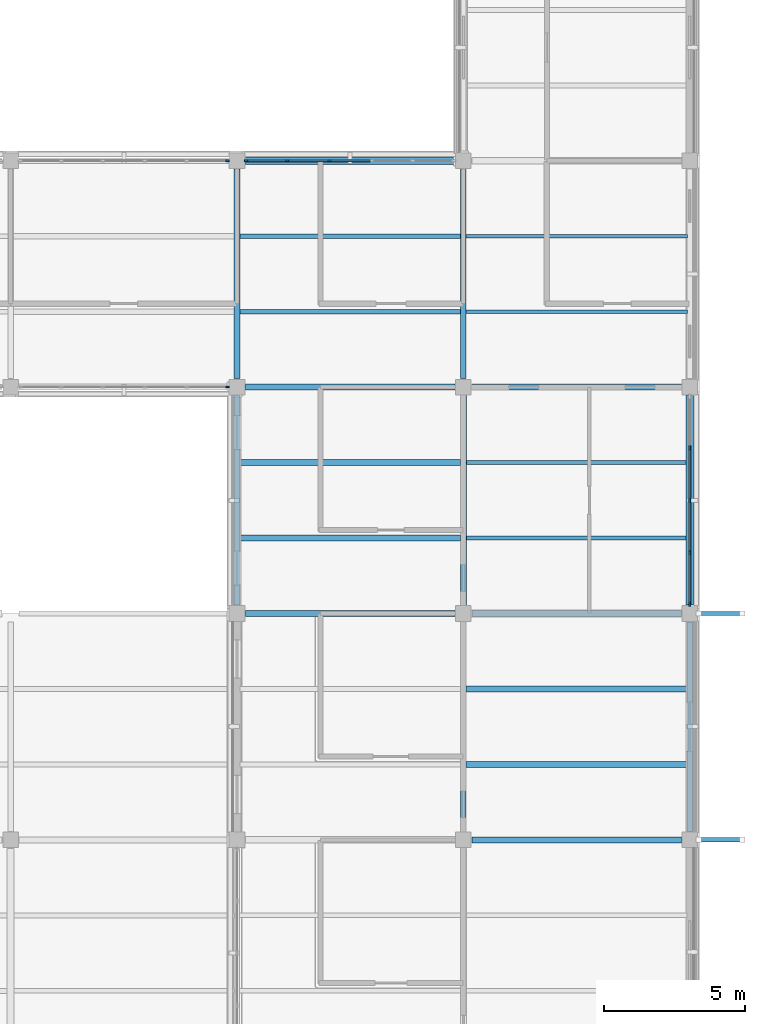
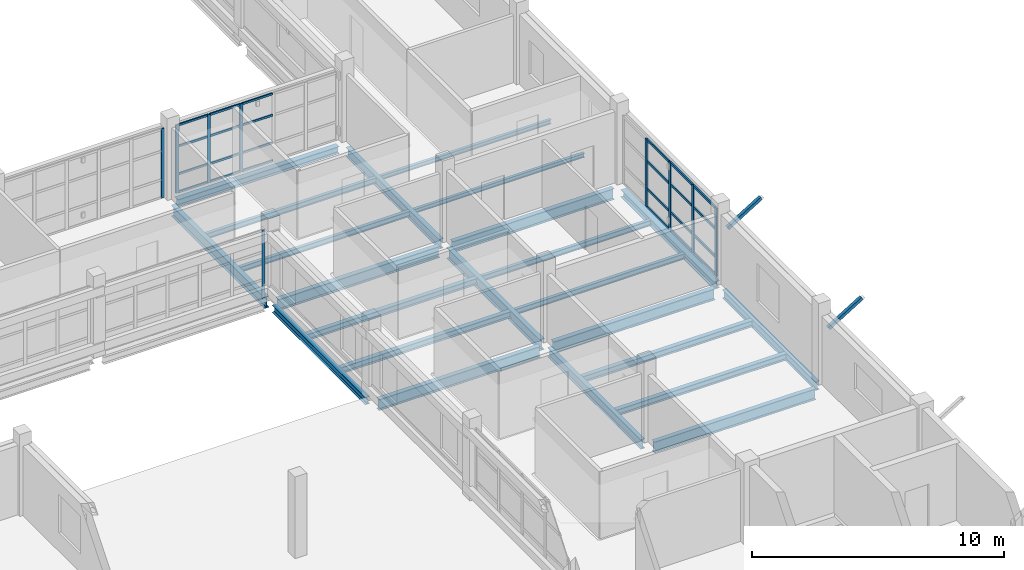
# One storey, part 47 of 107: 35 members, 23 beams, 4 elements without a shape of their own.
"""IFC4 building model written with IfcOpenShell, lengths in metres."""

from ifc_helpers import new_model, si_unit, derived_unit, direction, frame, origin, origin_2d, place, context, subcontext, project, spatial, rectangle, hollow_rectangle, i_section, extrude, material, layer, layer_set, material_profile, profile_set, type_object, element, aggregate, save


model = new_model("IFC4")

# Units and contexts
model_context = context("Model", 3, precision=1e-05, world=origin(), true_north=direction((0.0, 1.0)))
body_context = subcontext(model_context, "Body", "Model", "MODEL_VIEW")
ifc_project = project(units=[si_unit("LENGTHUNIT", "METRE"), si_unit("AREAUNIT", "SQUARE_METRE"), si_unit("VOLUMEUNIT", "CUBIC_METRE"), si_unit("PLANEANGLEUNIT", "RADIAN"), si_unit("MASSUNIT", "GRAM", prefix="KILO"), derived_unit("THERMALTRANSMITTANCEUNIT", [(si_unit("MASSUNIT", "GRAM", prefix="KILO"), 1), (si_unit("TIMEUNIT", "SECOND"), -3), (si_unit("THERMODYNAMICTEMPERATUREUNIT", "KELVIN"), -1)])], contexts=[model_context])

# Site, building, storey
site_placement = place(None, origin())
site = spatial("IfcSite", under=ifc_project, at=site_placement, CompositionType="ELEMENT")
building_placement = place(site_placement, origin())
building = spatial("IfcBuilding", under=site, at=building_placement, Name="Veyamyaing Civic Hall", CompositionType="ELEMENT")
storey_placement = place(building_placement, frame((0.0, 0.0, 13.860107421875)))
storey = spatial("IfcBuildingStorey", under=building, at=storey_placement, Name="L03", CompositionType="ELEMENT", Elevation=13.860107421875)

# Beams
ifc_material_1 = material(Name="Steel ASTM A992", Category="steel")
ifc_material_profile_1 = material_profile(ifc_material_1, i_section(OverallWidth=0.208984375, OverallDepth=0.532958984375, WebThickness=0.01025390625, FlangeThickness=0.015625, FilletRadius=0.011962890625, at=origin_2d()), Name="W530X92")
ifc_profile_set_1 = profile_set([ifc_material_profile_1], Name="Steel ASTM A992")
beam_type_1 = type_object("IfcBeamType", Name="B-07", PredefinedType="BEAM", material=ifc_profile_set_1)
for number, where, z_axis, x_axis, name in (
    (1, (168.300048828125, 32.0, -0.521728515625), (1.0, 0.0, 0.0), (0.0, 1.0, 0.0), "Girder B-07 L03 Grid E 22-23"),
    (2, (160.300048828125, 40.0, -0.521728515625), (1.0, 0.0, 0.0), (0.0, 1.0, 0.0), "Girder B-07 L03 Grid F 21-22"),
):
    element("IfcBeam", number, at=place(storey_placement, frame(where, z_axis=z_axis, x_axis=x_axis)), inside=storey, type_object=beam_type_1, Name=name, PredefinedType="BEAM", context=body_context, shape_type="SweptSolid", body=[
        extrude(i_section(OverallWidth=0.208984375, OverallDepth=0.532958984375, WebThickness=0.01025390625, FlangeThickness=0.015625, FilletRadius=0.011962890625, at=origin_2d()), origin(), (0.0, 0.0, 1.0), 7.39990234375),
    ])
ifc_material_profile_2 = material_profile(ifc_material_1, i_section(OverallWidth=0.19189453125, OverallDepth=0.462890625, WebThickness=0.010498046875, FlangeThickness=0.017578125, FilletRadius=0.010009765625, at=origin_2d()), Name="W460X89")
ifc_profile_set_2 = profile_set([ifc_material_profile_2], Name="Steel ASTM A992")
beam_type_2 = type_object("IfcBeamType", Name="B-08", PredefinedType="BEAM", material=ifc_profile_set_2)
beam_1_placement = place(storey_placement, frame((168.0, 32.300048828125, -0.486572265625), z_axis=(0.0, 1.0, 0.0), x_axis=(-1.0, 0.0, 0.0)))
element("IfcBeam", 3, at=beam_1_placement, inside=storey, type_object=beam_type_2, Name="Girder B-08 L03 Grid 22 E-F", PredefinedType="BEAM", context=body_context, shape_type="SweptSolid", body=[
    extrude(i_section(OverallWidth=0.19189453125, OverallDepth=0.462890625, WebThickness=0.010498046875, FlangeThickness=0.017578125, FilletRadius=0.010009765625, at=origin_2d()), origin(), (0.0, 0.0, 1.0), 7.39990234375),
])
ifc_material_profile_3 = material_profile(ifc_material_1, i_section(OverallWidth=0.2041015625, OverallDepth=0.35009765625, WebThickness=0.0078125, FlangeThickness=0.01513671875, FilletRadius=0.010009765625, at=origin_2d()), Name="W360X72")
ifc_profile_set_3 = profile_set([ifc_material_profile_3], Name="Steel ASTM A992")
beam_type_3 = type_object("IfcBeamType", Name="B-11", PredefinedType="SPANDREL", material=ifc_profile_set_3)
beam_2_placement = place(storey_placement, frame((160.0, 40.300048828125, -0.43017578125), z_axis=(0.0, 1.0, 0.0), x_axis=(-1.0, 0.0, 0.0)))
element("IfcBeam", 4, at=beam_2_placement, inside=storey, type_object=beam_type_3, Name="Girder B-11 L03 Grid 21 F-G", PredefinedType="SPANDREL", context=body_context, shape_type="SweptSolid", body=[
    extrude(i_section(OverallWidth=0.2041015625, OverallDepth=0.35009765625, WebThickness=0.0078125, FlangeThickness=0.01513671875, FilletRadius=0.010009765625, at=origin_2d()), origin(), (0.0, 0.0, 1.0), 7.39990234375),
])
ifc_material_profile_4 = material_profile(ifc_material_1, i_section(OverallWidth=0.214111328125, OverallDepth=0.549072265625, WebThickness=0.0146484375, FlangeThickness=0.023681640625, FilletRadius=0.011962890625, at=origin_2d()), Name="W530X138")
ifc_profile_set_4 = profile_set([ifc_material_profile_4], Name="Steel ASTM A992")
beam_type_4 = type_object("IfcBeamType", Name="B-16", PredefinedType="BEAM", material=ifc_profile_set_4)
for number, where, z_axis, x_axis, name in (
    (5, (168.300048828125, 40.0, -0.529541015625), (1.0, 0.0, 0.0), (0.0, 1.0, 0.0), "Girder B-16 L03 Grid F 22-23"),
    (6, (160.300048828125, 48.0, -0.529541015625), (1.0, 0.0, 0.0), (0.0, 1.0, 0.0), "Girder B-16 L03 Grid G 21-22"),
):
    element("IfcBeam", number, at=place(storey_placement, frame(where, z_axis=z_axis, x_axis=x_axis)), inside=storey, type_object=beam_type_4, Name=name, PredefinedType="BEAM", context=body_context, shape_type="SweptSolid", body=[
        extrude(i_section(OverallWidth=0.214111328125, OverallDepth=0.549072265625, WebThickness=0.0146484375, FlangeThickness=0.023681640625, FilletRadius=0.011962890625, at=origin_2d()), origin(), (0.0, 0.0, 1.0), 7.39990234375),
    ])
ifc_material_profile_5 = material_profile(ifc_material_1, i_section(OverallWidth=0.2109375, OverallDepth=0.5390625, WebThickness=0.01171875, FlangeThickness=0.018798828125, FilletRadius=0.011962890625, at=origin_2d()), Name="W530X109")
ifc_profile_set_5 = profile_set([ifc_material_profile_5], Name="Steel ASTM A992")
beam_type_5 = type_object("IfcBeamType", Name="B-17", PredefinedType="BEAM", material=ifc_profile_set_5)
for number, where, z_axis, x_axis, name in (
    (7, (168.300048828125, 48.0, -0.524658203125), (1.0, 0.0, 0.0), (0.0, 1.0, 0.0), "Girder B-17 L03 Grid G 22-23"),
    (8, (160.0, 48.300048828125, -0.524658203125), (0.0, 1.0, 0.0), (-1.0, 0.0, 0.0), "Girder B-17 L03 Grid 21 G-H"),
    (9, (168.0, 40.300048828125, -0.524658203125), (0.0, 1.0, 0.0), (-1.0, 0.0, 0.0), "Girder B-17 L03 Grid 22 F-G"),
):
    element("IfcBeam", number, at=place(storey_placement, frame(where, z_axis=z_axis, x_axis=x_axis)), inside=storey, type_object=beam_type_5, Name=name, PredefinedType="BEAM", context=body_context, shape_type="SweptSolid", body=[
        extrude(i_section(OverallWidth=0.2109375, OverallDepth=0.5390625, WebThickness=0.01171875, FlangeThickness=0.018798828125, FilletRadius=0.011962890625, at=origin_2d()), origin(), (0.0, 0.0, 1.0), 7.39990234375),
    ])
ifc_material_profile_6 = material_profile(ifc_material_1, i_section(OverallWidth=0.194091796875, OverallDepth=0.468994140625, WebThickness=0.0126953125, FlangeThickness=0.0205078125, FilletRadius=0.010009765625, at=origin_2d()), Name="W460X106")
ifc_profile_set_6 = profile_set([ifc_material_profile_6], Name="Steel ASTM A992")
beam_type_6 = type_object("IfcBeamType", Name="B-18", PredefinedType="BEAM", material=ifc_profile_set_6)
beam_3_placement = place(storey_placement, frame((168.0, 48.300048828125, -0.489501953125), z_axis=(0.0, 1.0, 0.0), x_axis=(-1.0, 0.0, 0.0)))
element("IfcBeam", 10, at=beam_3_placement, inside=storey, type_object=beam_type_6, Name="Girder B-18 L03 Grid 22 G-H", PredefinedType="BEAM", context=body_context, shape_type="SweptSolid", body=[
    extrude(i_section(OverallWidth=0.194091796875, OverallDepth=0.468994140625, WebThickness=0.0126953125, FlangeThickness=0.0205078125, FilletRadius=0.010009765625, at=origin_2d()), origin(), (0.0, 0.0, 1.0), 7.39990234375),
])
ifc_material_profile_7 = material_profile(ifc_material_1, i_section(OverallWidth=0.180908203125, OverallDepth=0.4169921875, WebThickness=0.010986328125, FlangeThickness=0.018310546875, FilletRadius=0.010009765625, at=origin_2d()), Name="W410X85")
ifc_profile_set_7 = profile_set([ifc_material_profile_7], Name="Steel ASTM A992")
beam_type_7 = type_object("IfcBeamType", Name="B-19", PredefinedType="SPANDREL", material=ifc_profile_set_7)
beam_4_placement = place(storey_placement, frame((176.0, 32.300048828125, -0.463623046875), z_axis=(0.0, 1.0, 0.0), x_axis=(-1.0, 0.0, 0.0)))
element("IfcBeam", 11, at=beam_4_placement, inside=storey, type_object=beam_type_7, Name="Girder B-19 L03 Grid 23 E-F", PredefinedType="SPANDREL", context=body_context, shape_type="SweptSolid", body=[
    extrude(i_section(OverallWidth=0.180908203125, OverallDepth=0.4169921875, WebThickness=0.010986328125, FlangeThickness=0.018310546875, FilletRadius=0.010009765625, at=origin_2d()), origin(), (0.0, 0.0, 1.0), 7.39990234375),
])
ifc_material_profile_8 = material_profile(ifc_material_1, i_section(OverallWidth=0.25390625, OverallDepth=0.35302734375, WebThickness=0.009521484375, FlangeThickness=0.016357421875, FilletRadius=0.011962890625, at=origin_2d()), Name="W360X91")
ifc_profile_set_8 = profile_set([ifc_material_profile_8], Name="Steel ASTM A992")
beam_type_8 = type_object("IfcBeamType", Name="B-20", PredefinedType="SPANDREL", material=ifc_profile_set_8)
for number, where, z_axis, x_axis, name in (
    (12, (160.300048828125, 56.0, -0.431640625), (1.0, 0.0, 0.0), (0.0, 1.0, 0.0), "Girder B-20 L03 Grid H 21-22"),
    (13, (176.0, 40.300048828125, -0.431640625), (0.0, 1.0, 0.0), (-1.0, 0.0, 0.0), "Girder B-20 L03 Grid 23 F-G"),
):
    element("IfcBeam", number, at=place(storey_placement, frame(where, z_axis=z_axis, x_axis=x_axis)), inside=storey, type_object=beam_type_8, Name=name, PredefinedType="SPANDREL", context=body_context, shape_type="SweptSolid", body=[
        extrude(i_section(OverallWidth=0.25390625, OverallDepth=0.35302734375, WebThickness=0.009521484375, FlangeThickness=0.016357421875, FilletRadius=0.011962890625, at=origin_2d()), origin(), (0.0, 0.0, 1.0), 7.39990234375),
    ])

# Curtain wall, members
ifc_material_2 = material(Name="Anodised aluminium 6063-T6", Category="aluminium")
ifc_layer_1 = layer(ifc_material_2, 0.159912109375, Name="Anodised aluminium 6063-T6")
ifc_layer_set_1 = layer_set([ifc_layer_1], Name="Anodised aluminium 6063-T6")
curtain_wall_type_1 = type_object("IfcCurtainWallType", Name="CW-07", PredefinedType="NOTDEFINED", material=ifc_layer_set_1)
curtain_wall_1_placement = place(storey_placement, origin())
curtain_wall_1 = element("IfcCurtainWall", 14, at=curtain_wall_1_placement, inside=storey, type_object=curtain_wall_type_1, Name="Unitized curtain wall CW-07 L03 E 22.6", PredefinedType="NOTDEFINED")
ifc_material_profile_9 = material_profile(ifc_material_2, rectangle(XDim=0.06494140625, YDim=0.159912109375, at=origin_2d()), Name="ALU-MUL-65X160")
ifc_profile_set_9 = profile_set([ifc_material_profile_9], Name="Anodised aluminium 6063-T6")
member_type_1 = type_object("IfcMemberType", Name="CWM-01", PredefinedType="MULLION", material=ifc_profile_set_9)
member_1_placement = place(storey_placement, frame((176.0, 40.33740234375, 0.0), z_axis=(0.0, 0.0, 1.0), x_axis=(-1.0, 0.0, 0.0)))
member_1 = element("IfcMember", 15, at=member_1_placement, type_object=member_type_1, Name="CW-07 mullion 1", PredefinedType="MULLION", context=body_context, shape_type="SweptSolid", body=[
    extrude(rectangle(XDim=0.06494140625, YDim=0.159912109375, at=origin_2d()), origin(), (0.0, 0.0, 1.0), 3.303955078125),
])
member_2_placement = place(storey_placement, frame((176.0, 42.152587890625, 0.0), z_axis=(0.0, 0.0, 1.0), x_axis=(-1.0, 0.0, 0.0)))
member_2 = element("IfcMember", 16, at=member_2_placement, type_object=member_type_1, Name="CW-07 mullion 2", PredefinedType="MULLION", context=body_context, shape_type="SweptSolid", body=[
    extrude(rectangle(XDim=0.06494140625, YDim=0.159912109375, at=origin_2d()), origin(), (0.0, 0.0, 1.0), 3.303955078125),
])
member_3_placement = place(storey_placement, frame((176.0, 44.0, 0.0), z_axis=(0.0, 0.0, 1.0), x_axis=(-1.0, 0.0, 0.0)))
member_3 = element("IfcMember", 17, at=member_3_placement, type_object=member_type_1, Name="CW-07 mullion 3", PredefinedType="MULLION", context=body_context, shape_type="SweptSolid", body=[
    extrude(rectangle(XDim=0.06494140625, YDim=0.159912109375, at=origin_2d()), origin(), (0.0, 0.0, 1.0), 3.303955078125),
])
member_4_placement = place(storey_placement, frame((176.0, 45.847412109375, 0.0), z_axis=(0.0, 0.0, 1.0), x_axis=(-1.0, 0.0, 0.0)))
member_4 = element("IfcMember", 18, at=member_4_placement, type_object=member_type_1, Name="CW-07 mullion 4", PredefinedType="MULLION", context=body_context, shape_type="SweptSolid", body=[
    extrude(rectangle(XDim=0.06494140625, YDim=0.159912109375, at=origin_2d()), origin(), (0.0, 0.0, 1.0), 3.303955078125),
])

# Curtain wall, member
ifc_layer_2 = layer(ifc_material_2, 0.139892578125, Name="Anodised aluminium 6063-T6")
ifc_layer_set_2 = layer_set([ifc_layer_2], Name="Anodised aluminium 6063-T6")
curtain_wall_type_2 = type_object("IfcCurtainWallType", Name="CW-04", PredefinedType="NOTDEFINED", material=ifc_layer_set_2)
curtain_wall_2_placement = place(storey_placement, origin())
curtain_wall_2 = element("IfcCurtainWall", 19, at=curtain_wall_2_placement, inside=storey, type_object=curtain_wall_type_2, Name="Unitized curtain wall CW-04 L03 S 20.7", PredefinedType="NOTDEFINED")
ifc_material_profile_10 = material_profile(ifc_material_2, rectangle(XDim=0.06005859375, YDim=0.139892578125, at=origin_2d()), Name="ALU-MUL-60X140")
ifc_profile_set_10 = profile_set([ifc_material_profile_10], Name="Anodised aluminium 6063-T6")
member_type_2 = type_object("IfcMemberType", Name="CWM-03", PredefinedType="MULLION", material=ifc_profile_set_10)
member_5_placement = place(storey_placement, frame((159.6650390625, 48.0, 0.0), z_axis=(0.0, 0.0, 1.0), x_axis=(0.0, 1.0, 0.0)))
member_5 = element("IfcMember", 20, at=member_5_placement, type_object=member_type_2, Name="CW-04 mullion 6", PredefinedType="MULLION", context=body_context, shape_type="SweptSolid", body=[
    extrude(rectangle(XDim=0.06005859375, YDim=0.139892578125, at=origin_2d()), origin(), (0.0, 0.0, 1.0), 3.2998046875),
])
aggregate(curtain_wall_2, [member_5])

curtain_wall_3_placement = place(storey_placement, origin())
curtain_wall_3 = element("IfcCurtainWall", 21, at=curtain_wall_3_placement, inside=storey, type_object=curtain_wall_type_2, Name="Unitized curtain wall CW-04 L03 N 20.7", PredefinedType="NOTDEFINED")
member_6_placement = place(storey_placement, frame((159.6650390625, 56.0, 0.0), z_axis=(0.0, 0.0, 1.0), x_axis=(0.0, 1.0, 0.0)))
member_6 = element("IfcMember", 22, at=member_6_placement, type_object=member_type_2, Name="CW-04 mullion 6", PredefinedType="MULLION", context=body_context, shape_type="SweptSolid", body=[
    extrude(rectangle(XDim=0.06005859375, YDim=0.139892578125, at=origin_2d()), origin(), (0.0, 0.0, 1.0), 3.364013671875),
])
aggregate(curtain_wall_3, [member_6])

# Curtain wall, members
curtain_wall_4_placement = place(storey_placement, origin())
curtain_wall_4 = element("IfcCurtainWall", 23, at=curtain_wall_4_placement, inside=storey, type_object=curtain_wall_type_2, Name="Unitized curtain wall CW-04 L03 N 21.7", PredefinedType="NOTDEFINED")
member_7_placement = place(storey_placement, frame((160.3349609375, 56.0, 0.0), z_axis=(0.0, 0.0, 1.0), x_axis=(0.0, 1.0, 0.0)))
member_7 = element("IfcMember", 24, at=member_7_placement, type_object=member_type_2, Name="CW-04 mullion 1", PredefinedType="MULLION", context=body_context, shape_type="SweptSolid", body=[
    extrude(rectangle(XDim=0.06005859375, YDim=0.139892578125, at=origin_2d()), origin(), (0.0, 0.0, 1.0), 3.303955078125),
])
member_8_placement = place(storey_placement, frame((161.782958984375, 56.0, 0.0), z_axis=(0.0, 0.0, 1.0), x_axis=(0.0, 1.0, 0.0)))
member_8 = element("IfcMember", 25, at=member_8_placement, type_object=member_type_2, Name="CW-04 mullion 2", PredefinedType="MULLION", context=body_context, shape_type="SweptSolid", body=[
    extrude(rectangle(XDim=0.06005859375, YDim=0.139892578125, at=origin_2d()), origin(), (0.0, 0.0, 1.0), 3.303955078125),
])
member_9_placement = place(storey_placement, frame((163.260986328125, 56.0, 0.0), z_axis=(0.0, 0.0, 1.0), x_axis=(0.0, 1.0, 0.0)))
member_9 = element("IfcMember", 26, at=member_9_placement, type_object=member_type_2, Name="CW-04 mullion 3", PredefinedType="MULLION", context=body_context, shape_type="SweptSolid", body=[
    extrude(rectangle(XDim=0.06005859375, YDim=0.139892578125, at=origin_2d()), origin(), (0.0, 0.0, 1.0), 3.303955078125),
])

# Member
ifc_material_profile_11 = material_profile(ifc_material_2, rectangle(XDim=0.06494140625, YDim=0.1201171875, at=origin_2d()), Name="ALU-TRN-65X120")
ifc_profile_set_11 = profile_set([ifc_material_profile_11], Name="Anodised aluminium 6063-T6")
member_type_3 = type_object("IfcMemberType", Name="CWT-01", PredefinedType="USERDEFINED", material=ifc_profile_set_11)
member_10_placement = place(storey_placement, frame((176.0, 40.3701171875, 0.032470703125), z_axis=(0.0, 1.0, 0.0), x_axis=(-1.0, 0.0, 0.0)))
member_10 = element("IfcMember", 27, at=member_10_placement, type_object=member_type_3, Name="CW-07 transom 1.1", ObjectType="TRANSOM", PredefinedType="USERDEFINED", context=body_context, shape_type="SweptSolid", body=[
    extrude(rectangle(XDim=0.06494140625, YDim=0.1201171875, at=origin_2d()), origin(), (0.0, 0.0, 1.0), 1.75),
])

member_11_placement = place(storey_placement, frame((176.0, 40.3701171875, 0.89990234375), z_axis=(0.0, 1.0, 0.0), x_axis=(-1.0, 0.0, 0.0)))
member_11 = element("IfcMember", 28, at=member_11_placement, type_object=member_type_3, Name="CW-07 transom 1.2", ObjectType="TRANSOM", PredefinedType="USERDEFINED", context=body_context, shape_type="SweptSolid", body=[
    extrude(rectangle(XDim=0.06494140625, YDim=0.1201171875, at=origin_2d()), origin(), (0.0, 0.0, 1.0), 1.75),
])

member_12_placement = place(storey_placement, frame((176.0, 40.3701171875, 2.24658203125), z_axis=(0.0, 1.0, 0.0), x_axis=(-1.0, 0.0, 0.0)))
member_12 = element("IfcMember", 29, at=member_12_placement, type_object=member_type_3, Name="CW-07 transom 1.3", ObjectType="TRANSOM", PredefinedType="USERDEFINED", context=body_context, shape_type="SweptSolid", body=[
    extrude(rectangle(XDim=0.06494140625, YDim=0.1201171875, at=origin_2d()), origin(), (0.0, 0.0, 1.0), 1.75),
])

member_13_placement = place(storey_placement, frame((176.0, 40.3701171875, 3.271484375), z_axis=(0.0, 1.0, 0.0), x_axis=(-1.0, 0.0, 0.0)))
member_13 = element("IfcMember", 30, at=member_13_placement, type_object=member_type_3, Name="CW-07 transom 1.4", ObjectType="TRANSOM", PredefinedType="USERDEFINED", context=body_context, shape_type="SweptSolid", body=[
    extrude(rectangle(XDim=0.06494140625, YDim=0.1201171875, at=origin_2d()), origin(), (0.0, 0.0, 1.0), 1.75),
])

member_14_placement = place(storey_placement, frame((176.0, 42.18505859375, 0.032470703125), z_axis=(0.0, 1.0, 0.0), x_axis=(-1.0, 0.0, 0.0)))
member_14 = element("IfcMember", 31, at=member_14_placement, type_object=member_type_3, Name="CW-07 transom 2.1", ObjectType="TRANSOM", PredefinedType="USERDEFINED", context=body_context, shape_type="SweptSolid", body=[
    extrude(rectangle(XDim=0.06494140625, YDim=0.1201171875, at=origin_2d()), origin(), (0.0, 0.0, 1.0), 1.782470703125),
])

member_15_placement = place(storey_placement, frame((176.0, 42.18505859375, 0.89990234375), z_axis=(0.0, 1.0, 0.0), x_axis=(-1.0, 0.0, 0.0)))
member_15 = element("IfcMember", 32, at=member_15_placement, type_object=member_type_3, Name="CW-07 transom 2.2", ObjectType="TRANSOM", PredefinedType="USERDEFINED", context=body_context, shape_type="SweptSolid", body=[
    extrude(rectangle(XDim=0.06494140625, YDim=0.1201171875, at=origin_2d()), origin(), (0.0, 0.0, 1.0), 1.782470703125),
])

member_16_placement = place(storey_placement, frame((176.0, 42.18505859375, 2.24658203125), z_axis=(0.0, 1.0, 0.0), x_axis=(-1.0, 0.0, 0.0)))
member_16 = element("IfcMember", 33, at=member_16_placement, type_object=member_type_3, Name="CW-07 transom 2.3", ObjectType="TRANSOM", PredefinedType="USERDEFINED", context=body_context, shape_type="SweptSolid", body=[
    extrude(rectangle(XDim=0.06494140625, YDim=0.1201171875, at=origin_2d()), origin(), (0.0, 0.0, 1.0), 1.782470703125),
])

member_17_placement = place(storey_placement, frame((176.0, 42.18505859375, 3.271484375), z_axis=(0.0, 1.0, 0.0), x_axis=(-1.0, 0.0, 0.0)))
member_17 = element("IfcMember", 34, at=member_17_placement, type_object=member_type_3, Name="CW-07 transom 2.4", ObjectType="TRANSOM", PredefinedType="USERDEFINED", context=body_context, shape_type="SweptSolid", body=[
    extrude(rectangle(XDim=0.06494140625, YDim=0.1201171875, at=origin_2d()), origin(), (0.0, 0.0, 1.0), 1.782470703125),
])

member_18_placement = place(storey_placement, frame((176.0, 44.032470703125, 0.032470703125), z_axis=(0.0, 1.0, 0.0), x_axis=(-1.0, 0.0, 0.0)))
member_18 = element("IfcMember", 35, at=member_18_placement, type_object=member_type_3, Name="CW-07 transom 3.1", ObjectType="TRANSOM", PredefinedType="USERDEFINED", context=body_context, shape_type="SweptSolid", body=[
    extrude(rectangle(XDim=0.06494140625, YDim=0.1201171875, at=origin_2d()), origin(), (0.0, 0.0, 1.0), 1.782470703125),
])

member_19_placement = place(storey_placement, frame((176.0, 44.032470703125, 0.89990234375), z_axis=(0.0, 1.0, 0.0), x_axis=(-1.0, 0.0, 0.0)))
member_19 = element("IfcMember", 36, at=member_19_placement, type_object=member_type_3, Name="CW-07 transom 3.2", ObjectType="TRANSOM", PredefinedType="USERDEFINED", context=body_context, shape_type="SweptSolid", body=[
    extrude(rectangle(XDim=0.06494140625, YDim=0.1201171875, at=origin_2d()), origin(), (0.0, 0.0, 1.0), 1.782470703125),
])

member_20_placement = place(storey_placement, frame((176.0, 44.032470703125, 2.24658203125), z_axis=(0.0, 1.0, 0.0), x_axis=(-1.0, 0.0, 0.0)))
member_20 = element("IfcMember", 37, at=member_20_placement, type_object=member_type_3, Name="CW-07 transom 3.3", ObjectType="TRANSOM", PredefinedType="USERDEFINED", context=body_context, shape_type="SweptSolid", body=[
    extrude(rectangle(XDim=0.06494140625, YDim=0.1201171875, at=origin_2d()), origin(), (0.0, 0.0, 1.0), 1.782470703125),
])

member_21_placement = place(storey_placement, frame((176.0, 44.032470703125, 3.271484375), z_axis=(0.0, 1.0, 0.0), x_axis=(-1.0, 0.0, 0.0)))
member_21 = element("IfcMember", 38, at=member_21_placement, type_object=member_type_3, Name="CW-07 transom 3.4", ObjectType="TRANSOM", PredefinedType="USERDEFINED", context=body_context, shape_type="SweptSolid", body=[
    extrude(rectangle(XDim=0.06494140625, YDim=0.1201171875, at=origin_2d()), origin(), (0.0, 0.0, 1.0), 1.782470703125),
])

aggregate(curtain_wall_1, [member_1, member_2, member_3, member_4, member_10, member_11, member_12, member_13, member_14, member_15, member_16, member_17, member_18, member_19, member_20, member_21])

ifc_material_profile_12 = material_profile(ifc_material_2, rectangle(XDim=0.06005859375, YDim=0.10009765625, at=origin_2d()), Name="ALU-TRN-60X100")
ifc_profile_set_12 = profile_set([ifc_material_profile_12], Name="Anodised aluminium 6063-T6")
member_type_4 = type_object("IfcMemberType", Name="CWT-03", PredefinedType="USERDEFINED", material=ifc_profile_set_12)
member_22_placement = place(storey_placement, frame((160.364990234375, 56.0, 0.02978515625), z_axis=(1.0, 0.0, 0.0), x_axis=(0.0, 1.0, 0.0)))
member_22 = element("IfcMember", 39, at=member_22_placement, type_object=member_type_4, Name="CW-04 transom 1.1", ObjectType="TRANSOM", PredefinedType="USERDEFINED", context=body_context, shape_type="SweptSolid", body=[
    extrude(rectangle(XDim=0.06005859375, YDim=0.10009765625, at=origin_2d()), origin(), (0.0, 0.0, 1.0), 1.387939453125),
])

member_23_placement = place(storey_placement, frame((160.364990234375, 56.0, 0.89990234375), z_axis=(1.0, 0.0, 0.0), x_axis=(0.0, 1.0, 0.0)))
member_23 = element("IfcMember", 40, at=member_23_placement, type_object=member_type_4, Name="CW-04 transom 1.2", ObjectType="TRANSOM", PredefinedType="USERDEFINED", context=body_context, shape_type="SweptSolid", body=[
    extrude(rectangle(XDim=0.06005859375, YDim=0.10009765625, at=origin_2d()), origin(), (0.0, 0.0, 1.0), 1.387939453125),
])

member_24_placement = place(storey_placement, frame((160.364990234375, 56.0, 2.24658203125), z_axis=(1.0, 0.0, 0.0), x_axis=(0.0, 1.0, 0.0)))
member_24 = element("IfcMember", 41, at=member_24_placement, type_object=member_type_4, Name="CW-04 transom 1.3", ObjectType="TRANSOM", PredefinedType="USERDEFINED", context=body_context, shape_type="SweptSolid", body=[
    extrude(rectangle(XDim=0.06005859375, YDim=0.10009765625, at=origin_2d()), origin(), (0.0, 0.0, 1.0), 1.387939453125),
])

member_25_placement = place(storey_placement, frame((160.364990234375, 56.0, 3.27392578125), z_axis=(1.0, 0.0, 0.0), x_axis=(0.0, 1.0, 0.0)))
member_25 = element("IfcMember", 42, at=member_25_placement, type_object=member_type_4, Name="CW-04 transom 1.4", ObjectType="TRANSOM", PredefinedType="USERDEFINED", context=body_context, shape_type="SweptSolid", body=[
    extrude(rectangle(XDim=0.06005859375, YDim=0.10009765625, at=origin_2d()), origin(), (0.0, 0.0, 1.0), 1.387939453125),
])

member_26_placement = place(storey_placement, frame((161.81298828125, 56.0, 0.02978515625), z_axis=(1.0, 0.0, 0.0), x_axis=(0.0, 1.0, 0.0)))
member_26 = element("IfcMember", 43, at=member_26_placement, type_object=member_type_4, Name="CW-04 transom 2.1", ObjectType="TRANSOM", PredefinedType="USERDEFINED", context=body_context, shape_type="SweptSolid", body=[
    extrude(rectangle(XDim=0.06005859375, YDim=0.10009765625, at=origin_2d()), origin(), (0.0, 0.0, 1.0), 1.41796875),
])

member_27_placement = place(storey_placement, frame((161.81298828125, 56.0, 0.89990234375), z_axis=(1.0, 0.0, 0.0), x_axis=(0.0, 1.0, 0.0)))
member_27 = element("IfcMember", 44, at=member_27_placement, type_object=member_type_4, Name="CW-04 transom 2.2", ObjectType="TRANSOM", PredefinedType="USERDEFINED", context=body_context, shape_type="SweptSolid", body=[
    extrude(rectangle(XDim=0.06005859375, YDim=0.10009765625, at=origin_2d()), origin(), (0.0, 0.0, 1.0), 1.41796875),
])

member_28_placement = place(storey_placement, frame((161.81298828125, 56.0, 2.24658203125), z_axis=(1.0, 0.0, 0.0), x_axis=(0.0, 1.0, 0.0)))
member_28 = element("IfcMember", 45, at=member_28_placement, type_object=member_type_4, Name="CW-04 transom 2.3", ObjectType="TRANSOM", PredefinedType="USERDEFINED", context=body_context, shape_type="SweptSolid", body=[
    extrude(rectangle(XDim=0.06005859375, YDim=0.10009765625, at=origin_2d()), origin(), (0.0, 0.0, 1.0), 1.41796875),
])

member_29_placement = place(storey_placement, frame((161.81298828125, 56.0, 3.27392578125), z_axis=(1.0, 0.0, 0.0), x_axis=(0.0, 1.0, 0.0)))
member_29 = element("IfcMember", 46, at=member_29_placement, type_object=member_type_4, Name="CW-04 transom 2.4", ObjectType="TRANSOM", PredefinedType="USERDEFINED", context=body_context, shape_type="SweptSolid", body=[
    extrude(rectangle(XDim=0.06005859375, YDim=0.10009765625, at=origin_2d()), origin(), (0.0, 0.0, 1.0), 1.41796875),
])

member_30_placement = place(storey_placement, frame((163.291015625, 56.0, 0.02978515625), z_axis=(1.0, 0.0, 0.0), x_axis=(0.0, 1.0, 0.0)))
member_30 = element("IfcMember", 47, at=member_30_placement, type_object=member_type_4, Name="CW-04 transom 3.1", ObjectType="TRANSOM", PredefinedType="USERDEFINED", context=body_context, shape_type="SweptSolid", body=[
    extrude(rectangle(XDim=0.06005859375, YDim=0.10009765625, at=origin_2d()), origin(), (0.0, 0.0, 1.0), 1.41796875),
])

member_31_placement = place(storey_placement, frame((163.291015625, 56.0, 0.89990234375), z_axis=(1.0, 0.0, 0.0), x_axis=(0.0, 1.0, 0.0)))
member_31 = element("IfcMember", 48, at=member_31_placement, type_object=member_type_4, Name="CW-04 transom 3.2", ObjectType="TRANSOM", PredefinedType="USERDEFINED", context=body_context, shape_type="SweptSolid", body=[
    extrude(rectangle(XDim=0.06005859375, YDim=0.10009765625, at=origin_2d()), origin(), (0.0, 0.0, 1.0), 1.41796875),
])

member_32_placement = place(storey_placement, frame((163.291015625, 56.0, 2.24658203125), z_axis=(1.0, 0.0, 0.0), x_axis=(0.0, 1.0, 0.0)))
member_32 = element("IfcMember", 49, at=member_32_placement, type_object=member_type_4, Name="CW-04 transom 3.3", ObjectType="TRANSOM", PredefinedType="USERDEFINED", context=body_context, shape_type="SweptSolid", body=[
    extrude(rectangle(XDim=0.06005859375, YDim=0.10009765625, at=origin_2d()), origin(), (0.0, 0.0, 1.0), 1.41796875),
])

member_33_placement = place(storey_placement, frame((163.291015625, 56.0, 3.27392578125), z_axis=(1.0, 0.0, 0.0), x_axis=(0.0, 1.0, 0.0)))
member_33 = element("IfcMember", 50, at=member_33_placement, type_object=member_type_4, Name="CW-04 transom 3.4", ObjectType="TRANSOM", PredefinedType="USERDEFINED", context=body_context, shape_type="SweptSolid", body=[
    extrude(rectangle(XDim=0.06005859375, YDim=0.10009765625, at=origin_2d()), origin(), (0.0, 0.0, 1.0), 1.41796875),
])

aggregate(curtain_wall_4, [member_7, member_8, member_9, member_22, member_23, member_24, member_25, member_26, member_27, member_28, member_29, member_30, member_31, member_32, member_33])

# Beams
ifc_material_profile_13 = material_profile(ifc_material_1, i_section(OverallWidth=0.2041015625, OverallDepth=0.305908203125, WebThickness=0.008544921875, FlangeThickness=0.0146484375, FilletRadius=0.010009765625, at=origin_2d()), Name="W310X67")
ifc_profile_set_13 = profile_set([ifc_material_profile_13], Name="Steel ASTM A992")
beam_type_9 = type_object("IfcBeamType", Name="J-06", PredefinedType="JOIST", material=ifc_profile_set_13)
for number, where, z_axis, x_axis, name in (
    (51, (160.10009765625, 42.666748046875, -0.408203125), (1.0, 0.0, 0.0), (0.0, 1.0, 0.0), "Composite floor joist J-06 L03 21.6.1"),
    (52, (160.10009765625, 45.333251953125, -0.408203125), (1.0, 0.0, 0.0), (0.0, 1.0, 0.0), "Composite floor joist J-06 L03 21.6.2"),
):
    element("IfcBeam", number, at=place(storey_placement, frame(where, z_axis=z_axis, x_axis=x_axis)), inside=storey, type_object=beam_type_9, Name=name, PredefinedType="JOIST", context=body_context, shape_type="SweptSolid", body=[
        extrude(i_section(OverallWidth=0.2041015625, OverallDepth=0.305908203125, WebThickness=0.008544921875, FlangeThickness=0.0146484375, FilletRadius=0.010009765625, at=origin_2d()), origin(), (0.0, 0.0, 1.0), 7.79638671875),
    ])
for number, where, z_axis, x_axis, name in (
    (53, (168.093994140625, 34.666748046875, -0.408203125), (1.0, 0.0, 0.0), (0.0, 1.0, 0.0), "Composite floor joist J-06 L03 22.5.1"),
    (54, (168.093994140625, 37.333251953125, -0.408203125), (1.0, 0.0, 0.0), (0.0, 1.0, 0.0), "Composite floor joist J-06 L03 22.5.2"),
):
    element("IfcBeam", number, at=place(storey_placement, frame(where, z_axis=z_axis, x_axis=x_axis)), inside=storey, type_object=beam_type_9, Name=name, PredefinedType="JOIST", context=body_context, shape_type="SweptSolid", body=[
        extrude(i_section(OverallWidth=0.2041015625, OverallDepth=0.305908203125, WebThickness=0.008544921875, FlangeThickness=0.0146484375, FilletRadius=0.010009765625, at=origin_2d()), origin(), (0.0, 0.0, 1.0), 7.817626953125),
    ])
ifc_material_profile_14 = material_profile(ifc_material_1, i_section(OverallWidth=0.14794921875, OverallDepth=0.26611328125, WebThickness=0.007568359375, FlangeThickness=0.012939453125, FilletRadius=0.010009765625, at=origin_2d()), Name="W250X45")
ifc_profile_set_14 = profile_set([ifc_material_profile_14], Name="Steel ASTM A992")
beam_type_10 = type_object("IfcBeamType", Name="J-07", PredefinedType="JOIST", material=ifc_profile_set_14)
for number, where, z_axis, x_axis, name in (
    (55, (160.103515625, 50.666748046875, -0.38818359375), (1.0, 0.0, 0.0), (0.0, 1.0, 0.0), "Composite floor joist J-07 L03 21.7.1"),
    (56, (160.103515625, 53.333251953125, -0.38818359375), (1.0, 0.0, 0.0), (0.0, 1.0, 0.0), "Composite floor joist J-07 L03 21.7.2"),
):
    element("IfcBeam", number, at=place(storey_placement, frame(where, z_axis=z_axis, x_axis=x_axis)), inside=storey, type_object=beam_type_10, Name=name, PredefinedType="JOIST", context=body_context, shape_type="SweptSolid", body=[
        extrude(i_section(OverallWidth=0.14794921875, OverallDepth=0.26611328125, WebThickness=0.007568359375, FlangeThickness=0.012939453125, FilletRadius=0.010009765625, at=origin_2d()), origin(), (0.0, 0.0, 1.0), 7.801513671875),
    ])
for number, where, z_axis, x_axis, name in (
    (57, (168.103515625, 42.666748046875, -0.38818359375), (1.0, 0.0, 0.0), (0.0, 1.0, 0.0), "Composite floor joist J-07 L03 22.6.1"),
    (58, (168.103515625, 45.333251953125, -0.38818359375), (1.0, 0.0, 0.0), (0.0, 1.0, 0.0), "Composite floor joist J-07 L03 22.6.2"),
):
    element("IfcBeam", number, at=place(storey_placement, frame(where, z_axis=z_axis, x_axis=x_axis)), inside=storey, type_object=beam_type_10, Name=name, PredefinedType="JOIST", context=body_context, shape_type="SweptSolid", body=[
        extrude(i_section(OverallWidth=0.14794921875, OverallDepth=0.26611328125, WebThickness=0.007568359375, FlangeThickness=0.012939453125, FilletRadius=0.010009765625, at=origin_2d()), origin(), (0.0, 0.0, 1.0), 7.771484375),
    ])
ifc_material_profile_15 = material_profile(ifc_material_1, i_section(OverallWidth=0.133056640625, OverallDepth=0.20703125, WebThickness=0.005859375, FlangeThickness=0.00830078125, FilletRadius=0.010009765625, at=origin_2d()), Name="W200X27")
ifc_profile_set_15 = profile_set([ifc_material_profile_15], Name="Steel ASTM A992")
beam_type_11 = type_object("IfcBeamType", Name="J-08", PredefinedType="JOIST", material=ifc_profile_set_15)
for number, where, z_axis, x_axis, name in (
    (59, (168.094970703125, 50.666748046875, -0.358642578125), (1.0, 0.0, 0.0), (0.0, 1.0, 0.0), "Composite floor joist J-08 L03 22.7.1"),
    (60, (168.094970703125, 53.333251953125, -0.358642578125), (1.0, 0.0, 0.0), (0.0, 1.0, 0.0), "Composite floor joist J-08 L03 22.7.2"),
):
    element("IfcBeam", number, at=place(storey_placement, frame(where, z_axis=z_axis, x_axis=x_axis)), inside=storey, type_object=beam_type_11, Name=name, PredefinedType="JOIST", context=body_context, shape_type="SweptSolid", body=[
        extrude(i_section(OverallWidth=0.133056640625, OverallDepth=0.20703125, WebThickness=0.005859375, FlangeThickness=0.00830078125, FilletRadius=0.010009765625, at=origin_2d()), origin(), (0.0, 0.0, 1.0), 7.817138671875),
    ])

# Members
ifc_material_3 = material(Name="Steel S355J2", Category="steel")
ifc_material_profile_16 = material_profile(ifc_material_3, hollow_rectangle(XDim=0.152099609375, YDim=0.152099609375, WallThickness=0.009521484375, at=origin_2d()), Name="HSS152X152X9.5")
ifc_profile_set_16 = profile_set([ifc_material_profile_16], Name="Steel S355J2")
member_type_5 = type_object("IfcMemberType", Name="SR-01", PredefinedType="STRUT", material=ifc_profile_set_16)
for number, where, z_axis, x_axis, name in (
    (61, (176.320068359375, 32.0, 2.409912109375), (0.852059527287, 0.0, 0.523444898685), (0.0, 1.0, 0.0), "Sacak diagonal steel eave strut SR-01 V3-E.4"),
    (62, (176.320068359375, 40.0, 2.409912109375), (0.852059527287, 0.0, 0.523444898685), (0.0, 1.0, 0.0), "Sacak diagonal steel eave strut SR-01 V3-E.5"),
):
    element("IfcMember", number, at=place(storey_placement, frame(where, z_axis=z_axis, x_axis=x_axis)), inside=storey, type_object=member_type_5, Name=name, PredefinedType="STRUT", context=body_context, shape_type="SweptSolid", body=[
        extrude(hollow_rectangle(XDim=0.152099609375, YDim=0.152099609375, WallThickness=0.009521484375, at=origin_2d()), origin(), (0.0, 0.0, 1.0), 1.795654296875),
    ])

save(model, "model.ifc")
